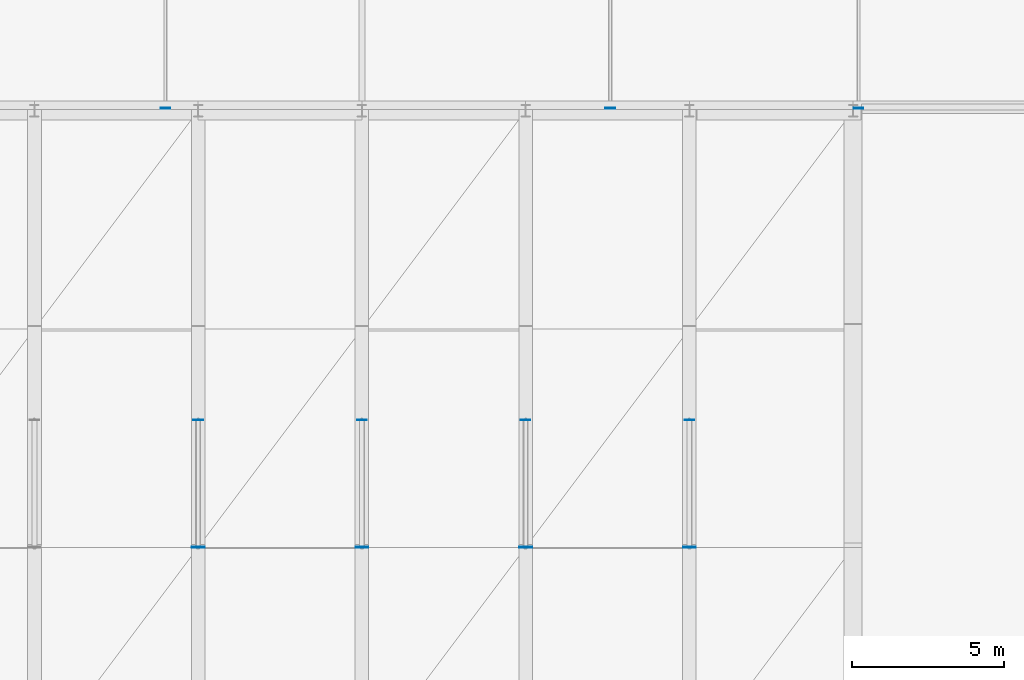
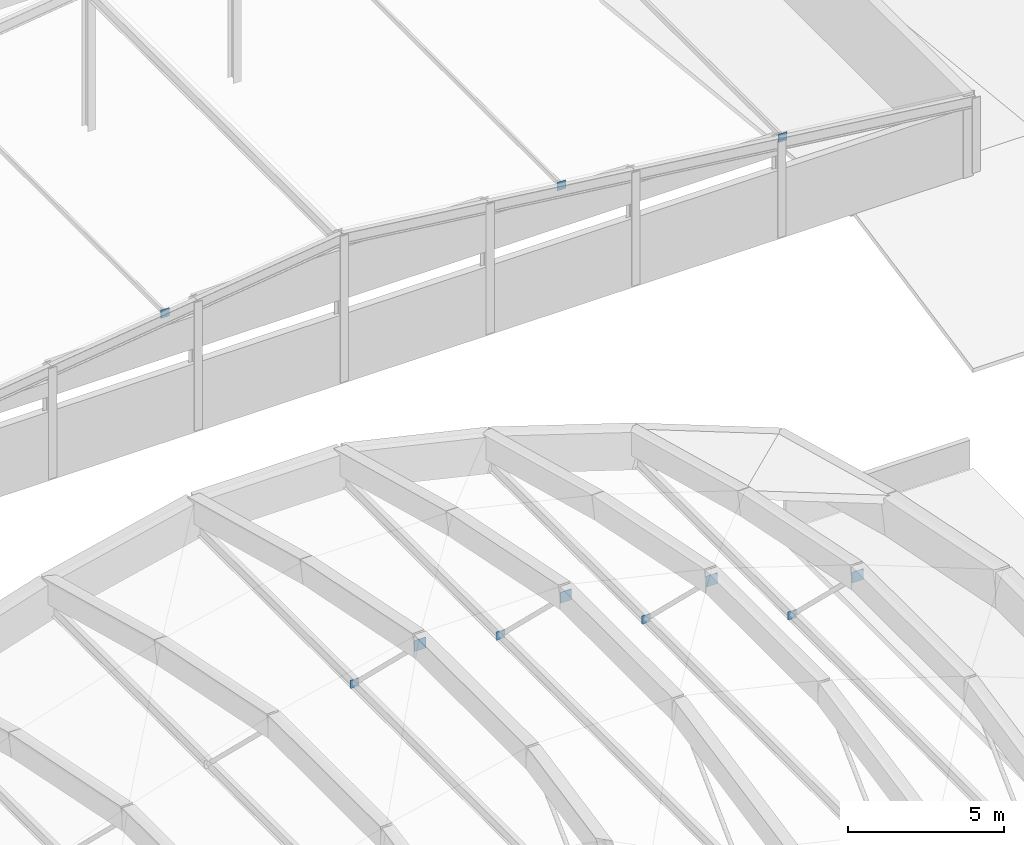
# One storey, part 19 of 27: 11 plates.
"""IFC4 building model written with IfcOpenShell, lengths in metres."""

from ifc_helpers import new_model, si_unit, direction, frame, origin, origin_2d, place, context, subcontext, project, spatial, rectangle, extrude, material, layer, layer_set, type_object, element, save


model = new_model("IFC4")

# Units and contexts
model_context = context("Model", 3, precision=1e-05, world=origin(), true_north=direction((0.0, 1.0)))
body_context = subcontext(model_context, "Body", "Model", "MODEL_VIEW")
ifc_project = project(units=[si_unit("LENGTHUNIT", "METRE"), si_unit("AREAUNIT", "SQUARE_METRE"), si_unit("VOLUMEUNIT", "CUBIC_METRE"), si_unit("PLANEANGLEUNIT", "RADIAN"), si_unit("MASSUNIT", "GRAM", prefix="KILO")], contexts=[model_context])

# Site, building, storey
site_placement = place(None, origin())
site = spatial("IfcSite", under=ifc_project, at=site_placement, CompositionType="ELEMENT")
building_placement = place(site_placement, origin())
building = spatial("IfcBuilding", under=site, at=building_placement, Name="Tazoul Stagehouse", CompositionType="ELEMENT")
storey_placement = place(building_placement, frame((0.0, 0.0, 24.89990234375)))
storey = spatial("IfcBuildingStorey", under=building, at=storey_placement, Name="RF", CompositionType="ELEMENT", Elevation=24.89990234375)

# Plates
ifc_material = material(Name="Steel S355", Category="steel")
ifc_layer_1 = layer(ifc_material, 0.02001953125, Name="Steel S355")
ifc_layer_set_1 = layer_set([ifc_layer_1], Name="Steel S355")
plate_type_1 = type_object("IfcPlateType", Name="Steel Brace End-Cap Plate 320x320x20", PredefinedType="USERDEFINED", material=ifc_layer_set_1)
for number, where, z_axis, x_axis, name in (
    (1, (73.800048828125, 77.60009765625, -4.0009765625), (0.0, 0.0, 1.0), (0.0, -1.0, 0.0), "RF Gusset End-Cap Plate GP-01 (SHELL-STRUT-04N-1)"),
    (2, (79.199951171875, 77.60009765625, -4.0009765625), (0.0, 0.0, 1.0), (0.0, -1.0, 0.0), "RF Gusset End-Cap Plate GP-01 (SHELL-STRUT-05N-1)"),
    (3, (84.60009765625, 77.60009765625, -5.26025390625), (0.0, 0.0, 1.0), (0.0, -1.0, 0.0), "RF Gusset End-Cap Plate GP-01 (SHELL-STRUT-06N-1)"),
    (4, (90.0, 77.60009765625, -6.9951171875), (0.0, 0.0, 1.0), (0.0, -1.0, 0.0), "RF Gusset End-Cap Plate GP-01 (SHELL-STRUT-07N-1)"),
    (5, (72.719970703125, 87.8798828125, 4.6298828125), (0.0, 0.0, 1.0), (0.0, 1.0, 0.0), "RF Purlin End-Cap Plate GP-01 (PURL-V2-W1-2-1)"),
    (6, (87.389892578125, 87.8798828125, 4.490234375), (0.0, 0.0, 1.0), (0.0, 1.0, 0.0), "RF Purlin End-Cap Plate GP-01 (PURL-V2-E1-1-1)"),
    (7, (95.580078125, 87.8798828125, 3.51025390625), (0.0, 0.0, 1.0), (0.0, 1.0, 0.0), "RF Purlin End-Cap Plate GP-01 (PURL-V2-E1-2-1)"),
):
    element("IfcPlate", number, at=place(storey_placement, frame(where, z_axis=z_axis, x_axis=x_axis)), inside=storey, type_object=plate_type_1, Name=name, ObjectType="GUSSET PLATE", PredefinedType="USERDEFINED", context=body_context, shape_type="SweptSolid", body=[
        extrude(rectangle(XDim=0.02001953125, YDim=0.320068359375, at=origin_2d()), origin(), (0.0, 0.0, 1.0), 0.320068359375),
    ])
ifc_layer_2 = layer(ifc_material, 0.02392578125, Name="Steel S355")
ifc_layer_set_2 = layer_set([ifc_layer_2], Name="Steel S355")
plate_type_2 = type_object("IfcPlateType", Name="Steel Gusset Node Plate 420x420x24", PredefinedType="USERDEFINED", material=ifc_layer_set_2)
for number, where, z_axis, x_axis, name in (
    (8, (73.800048828125, 73.39990234375, 0.0166015625), (0.0, 0.0, 1.0), (0.0, -1.0, 0.0), "RF Gusset End-Cap Plate GP-02 (SHELL-STRUT-04N-2)"),
    (9, (79.199951171875, 73.39990234375, 0.0166015625), (0.0, 0.0, 1.0), (0.0, -1.0, 0.0), "RF Gusset End-Cap Plate GP-02 (SHELL-STRUT-05N-2)"),
    (10, (84.60009765625, 73.39990234375, -1.242919921875), (0.0, 0.0, 1.0), (0.0, -1.0, 0.0), "RF Gusset End-Cap Plate GP-02 (SHELL-STRUT-06N-2)"),
    (11, (90.0, 73.39990234375, -2.9775390625), (0.0, 0.0, 1.0), (0.0, -1.0, 0.0), "RF Gusset End-Cap Plate GP-02 (SHELL-STRUT-07N-2)"),
):
    element("IfcPlate", number, at=place(storey_placement, frame(where, z_axis=z_axis, x_axis=x_axis)), inside=storey, type_object=plate_type_2, Name=name, ObjectType="GUSSET PLATE", PredefinedType="USERDEFINED", context=body_context, shape_type="SweptSolid", body=[
        extrude(rectangle(XDim=0.02392578125, YDim=0.419921875, at=origin_2d()), origin(), (0.0, 0.0, 1.0), 0.419921875),
    ])

save(model, "model.ifc")
